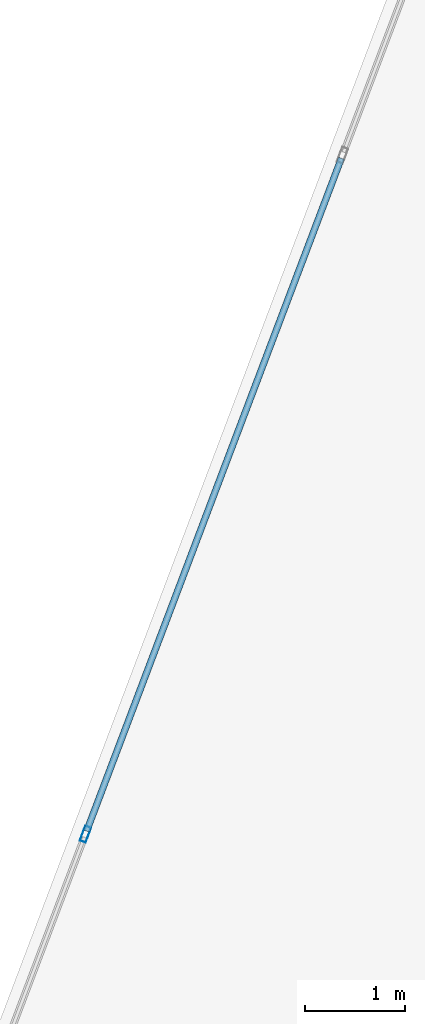
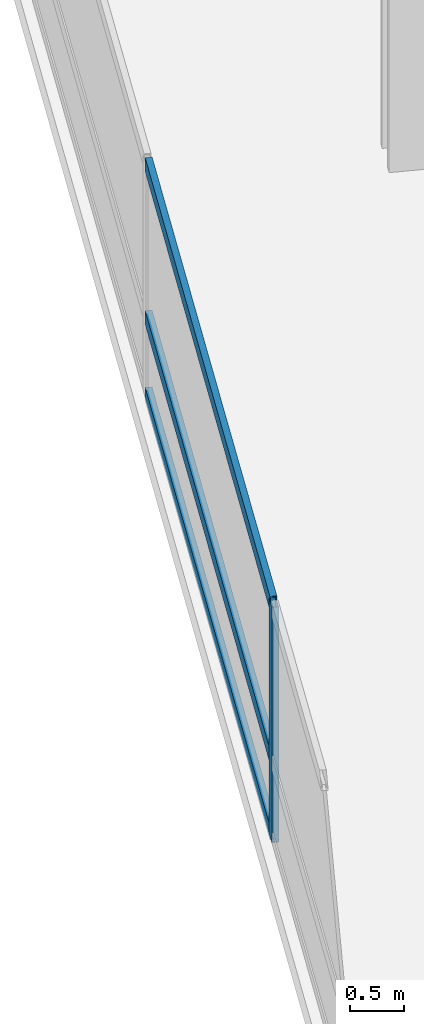
# One storey, part 4 of 25: 4 members, 1 element without a shape of its own.
"""IFC4 building model written with IfcOpenShell, lengths in metres."""

from ifc_helpers import new_model, si_unit, direction, frame, origin, origin_2d, place, context, subcontext, project, spatial, hollow_rectangle, extrude, material, layer, layer_set, material_profile, profile_set, type_object, element, aggregate, save


model = new_model("IFC4")

# Units and contexts
model_context = context("Model", 3, precision=1e-05, world=origin(), true_north=direction((0.0, 1.0)))
body_context = subcontext(model_context, "Body", "Model", "MODEL_VIEW")
ifc_project = project(units=[si_unit("LENGTHUNIT", "METRE"), si_unit("AREAUNIT", "SQUARE_METRE"), si_unit("VOLUMEUNIT", "CUBIC_METRE"), si_unit("PLANEANGLEUNIT", "RADIAN"), si_unit("MASSUNIT", "GRAM", prefix="KILO")], contexts=[model_context])

# Site, building, storey
site_placement = place(None, origin())
site = spatial("IfcSite", under=ifc_project, at=site_placement, CompositionType="ELEMENT")
building_placement = place(site_placement, origin())
building = spatial("IfcBuilding", under=site, at=building_placement, Name="Varnelok Gate Tower", CompositionType="ELEMENT")
storey_placement = place(building_placement, frame((0.0, 0.0, 113.199951171875)))
storey = spatial("IfcBuildingStorey", under=building, at=storey_placement, Name="L28", CompositionType="ELEMENT", Elevation=113.199951171875)

# Curtain wall, members
ifc_material = material(Name="Anodized Aluminum Alloy 6063-T6", Category="aluminium")
ifc_layer = layer(ifc_material, 0.179931640625)
ifc_layer_set = layer_set([ifc_layer], Name="Anodized Aluminum Alloy 6063-T6")
curtain_wall_type = type_object("IfcCurtainWallType", Name="CW3-HOTEL-VISION", PredefinedType="USERDEFINED", material=ifc_layer_set)
curtain_wall_placement = place(storey_placement, origin())
curtain_wall = element("IfcCurtainWall", 1, at=curtain_wall_placement, inside=storey, type_object=curtain_wall_type, Name="L28 West End Vision Curtain Wall", ObjectType="UNITISED CURTAIN WALL", PredefinedType="USERDEFINED")
ifc_material_profile_1 = material_profile(ifc_material, hollow_rectangle(XDim=0.06494140625, YDim=0.159912109375, WallThickness=0.00390625, at=origin_2d()), Name="ALU160X65X4")
ifc_profile_set_1 = profile_set([ifc_material_profile_1], Name="Anodized Aluminum Alloy 6063-T6")
member_type_1 = type_object("IfcMemberType", Name="CW-MULL-160", PredefinedType="MULLION", material=ifc_profile_set_1)
member_1_placement = place(storey_placement, frame((0.508544921875, 28.3359375, 0.0), z_axis=(0.0, 0.0, 1.0), x_axis=(-0.935221323688, 0.354063660545, 0.0)))
member_1 = element("IfcMember", 2, at=member_1_placement, type_object=member_type_1, Name="CW3 mullion 2", PredefinedType="MULLION", context=body_context, shape_type="SweptSolid", body=[
    extrude(hollow_rectangle(XDim=0.06494140625, YDim=0.159912109375, WallThickness=0.00390625, at=origin_2d()), origin(), (0.0, 0.0, 1.0), 2.66015625),
])
ifc_material_profile_2 = material_profile(ifc_material, hollow_rectangle(XDim=0.06494140625, YDim=0.159912109375, WallThickness=0.00390625, at=origin_2d()), Name="ALU160X65X4")
ifc_profile_set_2 = profile_set([ifc_material_profile_2], Name="Anodized Aluminum Alloy 6063-T6")
member_type_2 = type_object("IfcMemberType", Name="CW-TRAN-160", PredefinedType="USERDEFINED", material=ifc_profile_set_2)
member_2_placement = place(storey_placement, frame((0.52001953125, 28.3662109375, 0.032470703125), z_axis=(0.354078724634, 0.935215620465, 0.0), x_axis=(-0.935215620465, 0.354078724634, 0.0)))
member_2 = element("IfcMember", 3, at=member_2_placement, type_object=member_type_2, Name="CW3 transom 2.1", ObjectType="TRANSOM", PredefinedType="USERDEFINED", context=body_context, shape_type="SweptSolid", body=[
    extrude(hollow_rectangle(XDim=0.06494140625, YDim=0.159912109375, WallThickness=0.00390625, at=origin_2d()), origin(), (0.0, 0.0, 1.0), 7.175048828125),
])
member_3_placement = place(storey_placement, frame((0.52001953125, 28.3662109375, 0.900146484375), z_axis=(0.354078724634, 0.935215620465, 0.0), x_axis=(-0.935215620465, 0.354078724634, 0.0)))
member_3 = element("IfcMember", 4, at=member_3_placement, type_object=member_type_2, Name="CW3 transom 2.2", ObjectType="TRANSOM", PredefinedType="USERDEFINED", context=body_context, shape_type="SweptSolid", body=[
    extrude(hollow_rectangle(XDim=0.06494140625, YDim=0.159912109375, WallThickness=0.00390625, at=origin_2d()), origin(), (0.0, 0.0, 1.0), 7.175048828125),
])
member_4_placement = place(storey_placement, frame((0.52001953125, 28.3662109375, 2.62744140625), z_axis=(0.354078724634, 0.935215620465, 0.0), x_axis=(-0.935215620465, 0.354078724634, 0.0)))
member_4 = element("IfcMember", 5, at=member_4_placement, type_object=member_type_2, Name="CW3 transom 2.3", ObjectType="TRANSOM", PredefinedType="USERDEFINED", context=body_context, shape_type="SweptSolid", body=[
    extrude(hollow_rectangle(XDim=0.06494140625, YDim=0.159912109375, WallThickness=0.00390625, at=origin_2d()), origin(), (0.0, 0.0, 1.0), 7.175048828125),
])
aggregate(curtain_wall, [member_1, member_2, member_3, member_4])

save(model, "model.ifc")
